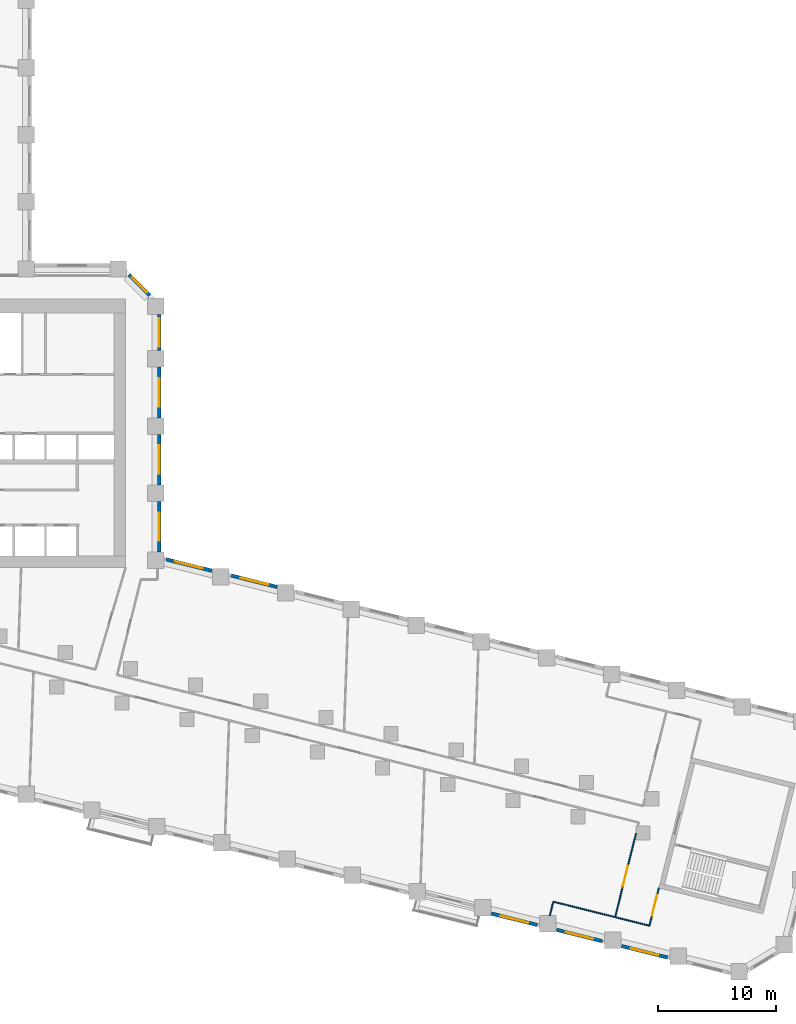
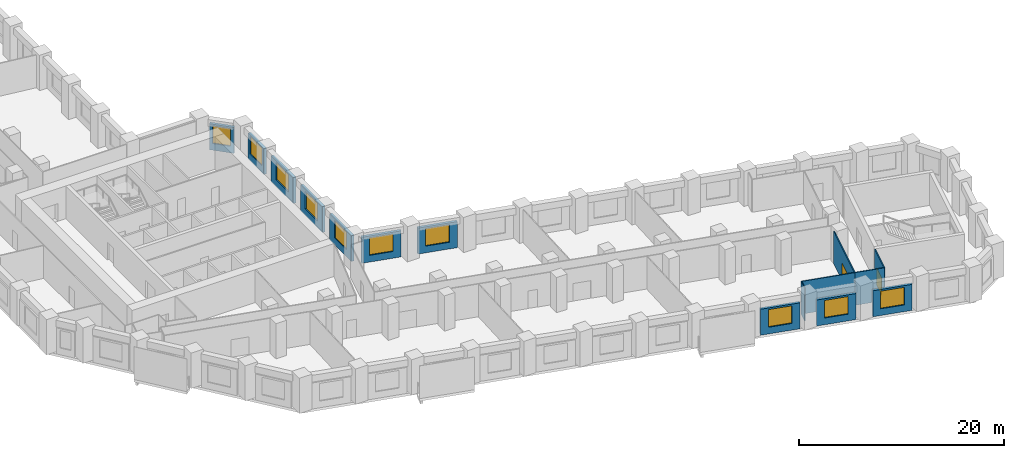
# One storey, part 6 of 11: 15 walls, 10 windows, 2 doors, 12 openings.
"""IFC4 building model written with IfcOpenShell, lengths in metres."""

from ifc_helpers import new_model, si_unit, direction, frame, frame_2d, origin, place, context, subcontext, project, spatial, rectangle, extrude, material, layer, layer_set, type_object, element, fill, save


model = new_model("IFC4")

# Units and contexts
model_context = context("Model", 3, precision=1e-05, world=origin(), true_north=direction((0.0, 1.0)))
body_context = subcontext(model_context, "Body", "Model", "MODEL_VIEW")
ifc_project = project(units=[si_unit("LENGTHUNIT", "METRE"), si_unit("AREAUNIT", "SQUARE_METRE"), si_unit("VOLUMEUNIT", "CUBIC_METRE"), si_unit("PLANEANGLEUNIT", "RADIAN"), si_unit("MASSUNIT", "GRAM", prefix="KILO")], contexts=[model_context])

# Site, building, storey
site_placement = place(None, origin())
site = spatial("IfcSite", under=ifc_project, at=site_placement, CompositionType="ELEMENT")
building_placement = place(site_placement, origin())
building = spatial("IfcBuilding", under=site, at=building_placement, Name="Meshkara Civic Tower", CompositionType="ELEMENT")
storey_placement = place(building_placement, frame((0.0, 0.0, 70.800048828125)))
storey = spatial("IfcBuildingStorey", under=building, at=storey_placement, Name="L15", CompositionType="ELEMENT", Elevation=70.800048828125)

# Wall
ifc_material_1 = material(Name="Corridor wall 100")
ifc_layer_1 = layer(ifc_material_1, 0.10009765625)
ifc_layer_set_1 = layer_set([ifc_layer_1], Name="Corridor wall 100")
wall_type_1 = type_object("IfcWallType", Name="Corridor wall 100", PredefinedType="PARTITIONING", material=ifc_layer_set_1)
wall_1_placement = place(storey_placement, frame((72.35302734375, -15.56591796875, 0.0), z_axis=(0.0, 0.0, 1.0), x_axis=(0.970271610033, -0.242018600037, 0.0)))
element("IfcWall", 1, at=wall_1_placement, inside=storey, type_object=wall_type_1, Name="L15-W025", PredefinedType="PARTITIONING", context=body_context, shape_type="SweptSolid", body=[
    extrude(rectangle(XDim=3.0, YDim=0.10009765625, at=frame_2d((1.5, 0.0))), origin(), (0.0, 0.0, 1.0), 3.89990234375),
])

# Wall, opening, door
wall_2_placement = place(storey_placement, frame((74.131103515625, -8.43701171875, 0.0), z_axis=(0.0, 0.0, 1.0), x_axis=(-0.242003930935, -0.970275268886, 0.0)))
wall_2 = element("IfcWall", 2, at=wall_2_placement, inside=storey, type_object=wall_type_1, Name="L15-W026", PredefinedType="PARTITIONING", context=body_context, shape_type="SweptSolid", body=[
    extrude(rectangle(XDim=7.347412109375, YDim=0.10009765625, at=frame_2d((3.673828125, 0.0))), origin(), (0.0, 0.0, 1.0), 3.89990234375),
])
opening_1_placement = place(wall_2_placement, frame((2.8798828125, 0.0, 0.0)))
opening_1 = element("IfcOpeningElement", 3, at=opening_1_placement, cuts=wall_2, Name="Opening L15-D001", PredefinedType="OPENING", context=body_context, shape_type="SweptSolid", body=[
    extrude(rectangle(XDim=1.800048828125, YDim=2.10009765625, at=frame_2d((0.89990234375, 1.050048828125))), frame((0.0, 0.06005859375, 0.0), z_axis=(0.0, -1.0, 0.0), x_axis=(1.0, 0.0, 0.0)), (0.0, 0.0, 1.0), 0.1201171875),
])
ifc_material_2 = material(Name="Door pair 1800 x 2100")
door_type = type_object("IfcDoorType", Name="Door pair 1800 x 2100", OperationType="SINGLE_SWING_LEFT", PredefinedType="DOOR", material=ifc_material_2)
door_1_placement = place(opening_1_placement, origin())
door_1 = element("IfcDoor", 4, at=door_1_placement, inside=storey, type_object=door_type, Name="L15-D001", OperationType="DOUBLE_DOOR_SINGLE_SWING", OverallHeight=2.10009765625, OverallWidth=1.800048828125, PredefinedType="DOOR", context=body_context, shape_type="SweptSolid", body=[
    extrude(rectangle(XDim=1.800048828125, YDim=2.10009765625, at=frame_2d((0.89990234375, 1.050048828125))), frame((0.0, 0.02490234375, 0.0), z_axis=(0.0, -1.0, 0.0), x_axis=(1.0, 0.0, 0.0)), (0.0, 0.0, 1.0), 0.050048828125),
])
fill(opening_1, door_1)

wall_3_placement = place(storey_placement, frame((75.263916015625, -16.2919921875, 0.0), z_axis=(0.0, 0.0, 1.0), x_axis=(0.242135244173, 0.970242507587, 0.0)))
wall_3 = element("IfcWall", 5, at=wall_3_placement, inside=storey, type_object=wall_type_1, Name="L15-W029", PredefinedType="PARTITIONING", context=body_context, shape_type="SweptSolid", body=[
    extrude(rectangle(XDim=3.300048828125, YDim=0.10009765625, at=frame_2d((1.64990234375, 0.0))), origin(), (0.0, 0.0, 1.0), 3.89990234375),
])
opening_2_placement = place(wall_3_placement, frame((0.8798828125, 0.0, 0.0)))
opening_2 = element("IfcOpeningElement", 6, at=opening_2_placement, cuts=wall_3, Name="Opening L15-D002", PredefinedType="OPENING", context=body_context, shape_type="SweptSolid", body=[
    extrude(rectangle(XDim=1.800048828125, YDim=2.10009765625, at=frame_2d((0.89990234375, 1.050048828125))), frame((0.0, 0.06005859375, 0.0), z_axis=(0.0, -1.0, 0.0), x_axis=(1.0, 0.0, 0.0)), (0.0, 0.0, 1.0), 0.1201171875),
])
door_2_placement = place(opening_2_placement, origin())
door_2 = element("IfcDoor", 7, at=door_2_placement, inside=storey, type_object=door_type, Name="L15-D002", OperationType="DOUBLE_DOOR_SINGLE_SWING", OverallHeight=2.10009765625, OverallWidth=1.800048828125, PredefinedType="DOOR", context=body_context, shape_type="SweptSolid", body=[
    extrude(rectangle(XDim=1.800048828125, YDim=2.10009765625, at=frame_2d((0.89990234375, 1.050048828125))), frame((0.0, 0.02490234375, 0.0), z_axis=(0.0, -1.0, 0.0), x_axis=(1.0, 0.0, 0.0)), (0.0, 0.0, 1.0), 0.050048828125),
])
fill(opening_2, door_2)

# Wall, opening, window
ifc_material_3 = material(Name="Insulated infill panel with bronze anodised aluminium cladding", Category="aluminium")
ifc_layer_2 = layer(ifc_material_3, 0.300048828125)
ifc_layer_set_2 = layer_set([ifc_layer_2], Name="EXTERNAL INFILL WALL 300")
wall_type_2 = type_object("IfcWallType", Name="EXTERNAL INFILL WALL 300", PredefinedType="SOLIDWALL", material=ifc_layer_set_2)
wall_4_placement = place(storey_placement, frame((43.659912109375, 12.4580078125, 0.0), z_axis=(0.0, 0.0, 1.0), x_axis=(-0.970300202301, 0.241903942538, 0.0)))
wall_4 = element("IfcWall", 8, at=wall_4_placement, inside=storey, type_object=wall_type_2, Name="External wall", PredefinedType="SOLIDWALL", context=body_context, shape_type="SweptSolid", body=[
    extrude(rectangle(XDim=4.001708984375, YDim=0.300048828125, at=frame_2d((2.0009765625, 0.0))), origin(), (0.0, 0.0, 1.0), 3.099853515625),
])
opening_3_placement = place(wall_4_placement, frame((0.801025390625, 0.0, 0.800048828125)))
opening_3 = element("IfcOpeningElement", 9, at=opening_3_placement, cuts=wall_4, Name="Opening W7", PredefinedType="OPENING", context=body_context, shape_type="SweptSolid", body=[
    extrude(rectangle(XDim=2.39990234375, YDim=2.10009765625, at=frame_2d((1.199951171875, 1.050048828125))), frame((0.0, 0.159912109375, 0.0), z_axis=(0.0, -1.0, 0.0), x_axis=(1.0, 0.0, 0.0)), (0.0, 0.0, 1.0), 0.320068359375),
])
ifc_material_4 = material(Name="Tinted double glazing", Category="glass")
window_type_1 = type_object("IfcWindowType", Name="WINDOW 2400x2100", PartitioningType="DOUBLE_PANEL_VERTICAL", PredefinedType="WINDOW", material=ifc_material_4)
window_1_placement = place(opening_3_placement, origin())
window_1 = element("IfcWindow", 10, at=window_1_placement, inside=storey, type_object=window_type_1, Name="Window", OverallHeight=2.10009765625, OverallWidth=2.39990234375, PartitioningType="DOUBLE_PANEL_VERTICAL", PredefinedType="WINDOW", context=body_context, shape_type="SweptSolid", body=[
    extrude(rectangle(XDim=2.39990234375, YDim=2.10009765625, at=frame_2d((1.199951171875, 1.050048828125))), frame((0.0, 0.030029296875, 0.0), z_axis=(0.0, -1.0, 0.0), x_axis=(1.0, 0.0, 0.0)), (0.0, 0.0, 1.0), 0.06005859375),
])
fill(opening_3, window_1)

wall_5_placement = place(storey_placement, frame((38.1298828125, 13.8369140625, 0.0), z_axis=(0.0, 0.0, 1.0), x_axis=(-0.970314477803, 0.241846674911, 0.0)))
wall_5 = element("IfcWall", 11, at=wall_5_placement, inside=storey, type_object=wall_type_2, Name="External wall", PredefinedType="SOLIDWALL", context=body_context, shape_type="SweptSolid", body=[
    extrude(rectangle(XDim=4.002685546875, YDim=0.300048828125, at=frame_2d((2.00146484375, 0.0))), origin(), (0.0, 0.0, 1.0), 3.099853515625),
])
opening_4_placement = place(wall_5_placement, frame((0.802001953125, 0.0, 0.800048828125)))
opening_4 = element("IfcOpeningElement", 12, at=opening_4_placement, cuts=wall_5, Name="Opening W7", PredefinedType="OPENING", context=body_context, shape_type="SweptSolid", body=[
    extrude(rectangle(XDim=2.39990234375, YDim=2.10009765625, at=frame_2d((1.199951171875, 1.050048828125))), frame((0.0, 0.159912109375, 0.0), z_axis=(0.0, -1.0, 0.0), x_axis=(1.0, 0.0, 0.0)), (0.0, 0.0, 1.0), 0.320068359375),
])
window_2_placement = place(opening_4_placement, origin())
window_2 = element("IfcWindow", 13, at=window_2_placement, inside=storey, type_object=window_type_1, Name="Window", OverallHeight=2.10009765625, OverallWidth=2.39990234375, PartitioningType="DOUBLE_PANEL_VERTICAL", PredefinedType="WINDOW", context=body_context, shape_type="SweptSolid", body=[
    extrude(rectangle(XDim=2.39990234375, YDim=2.10009765625, at=frame_2d((1.199951171875, 1.050048828125))), frame((0.0, 0.030029296875, 0.0), z_axis=(0.0, -1.0, 0.0), x_axis=(1.0, 0.0, 0.0)), (0.0, 0.0, 1.0), 0.06005859375),
])
fill(opening_4, window_2)

wall_6_placement = place(storey_placement, frame((33.64990234375, 15.4189453125, 0.0), z_axis=(0.0, 0.0, 1.0), x_axis=(0.0, 1.0, 0.0)))
wall_6 = element("IfcWall", 14, at=wall_6_placement, inside=storey, type_object=wall_type_2, Name="External wall", PredefinedType="SOLIDWALL", context=body_context, shape_type="SweptSolid", body=[
    extrude(rectangle(XDim=4.300048828125, YDim=0.300048828125, at=frame_2d((2.14990234375, 0.0))), origin(), (0.0, 0.0, 1.0), 3.099853515625),
])
opening_5_placement = place(wall_6_placement, frame((0.949951171875, 0.0, 0.800048828125)))
opening_5 = element("IfcOpeningElement", 15, at=opening_5_placement, cuts=wall_6, Name="Opening W7", PredefinedType="OPENING", context=body_context, shape_type="SweptSolid", body=[
    extrude(rectangle(XDim=2.39990234375, YDim=2.10009765625, at=frame_2d((1.199951171875, 1.050048828125))), frame((0.0, 0.159912109375, 0.0), z_axis=(0.0, -1.0, 0.0), x_axis=(1.0, 0.0, 0.0)), (0.0, 0.0, 1.0), 0.320068359375),
])
window_3_placement = place(opening_5_placement, origin())
window_3 = element("IfcWindow", 16, at=window_3_placement, inside=storey, type_object=window_type_1, Name="Window", OverallHeight=2.10009765625, OverallWidth=2.39990234375, PartitioningType="DOUBLE_PANEL_VERTICAL", PredefinedType="WINDOW", context=body_context, shape_type="SweptSolid", body=[
    extrude(rectangle(XDim=2.39990234375, YDim=2.10009765625, at=frame_2d((1.199951171875, 1.050048828125))), frame((0.0, 0.030029296875, 0.0), z_axis=(0.0, -1.0, 0.0), x_axis=(1.0, 0.0, 0.0)), (0.0, 0.0, 1.0), 0.06005859375),
])
fill(opening_5, window_3)

wall_7_placement = place(storey_placement, frame((33.64990234375, 21.118896484375, 0.0), z_axis=(0.0, 0.0, 1.0), x_axis=(0.0, 1.0, 0.0)))
wall_7 = element("IfcWall", 17, at=wall_7_placement, inside=storey, type_object=wall_type_2, Name="External wall", PredefinedType="SOLIDWALL", context=body_context, shape_type="SweptSolid", body=[
    extrude(rectangle(XDim=4.300048828125, YDim=0.300048828125, at=frame_2d((2.14990234375, 0.0))), origin(), (0.0, 0.0, 1.0), 3.099853515625),
])
opening_6_placement = place(wall_7_placement, frame((0.949951171875, 0.0, 0.800048828125)))
opening_6 = element("IfcOpeningElement", 18, at=opening_6_placement, cuts=wall_7, Name="Opening W7", PredefinedType="OPENING", context=body_context, shape_type="SweptSolid", body=[
    extrude(rectangle(XDim=2.39990234375, YDim=2.10009765625, at=frame_2d((1.199951171875, 1.050048828125))), frame((0.0, 0.159912109375, 0.0), z_axis=(0.0, -1.0, 0.0), x_axis=(1.0, 0.0, 0.0)), (0.0, 0.0, 1.0), 0.320068359375),
])
window_4_placement = place(opening_6_placement, origin())
window_4 = element("IfcWindow", 19, at=window_4_placement, inside=storey, type_object=window_type_1, Name="Window", OverallHeight=2.10009765625, OverallWidth=2.39990234375, PartitioningType="DOUBLE_PANEL_VERTICAL", PredefinedType="WINDOW", context=body_context, shape_type="SweptSolid", body=[
    extrude(rectangle(XDim=2.39990234375, YDim=2.10009765625, at=frame_2d((1.199951171875, 1.050048828125))), frame((0.0, 0.030029296875, 0.0), z_axis=(0.0, -1.0, 0.0), x_axis=(1.0, 0.0, 0.0)), (0.0, 0.0, 1.0), 0.06005859375),
])
fill(opening_6, window_4)

wall_8_placement = place(storey_placement, frame((33.64990234375, 26.819091796875, 0.0), z_axis=(0.0, 0.0, 1.0), x_axis=(0.0, 1.0, 0.0)))
wall_8 = element("IfcWall", 20, at=wall_8_placement, inside=storey, type_object=wall_type_2, Name="External wall", PredefinedType="SOLIDWALL", context=body_context, shape_type="SweptSolid", body=[
    extrude(rectangle(XDim=4.2998046875, YDim=0.300048828125, at=frame_2d((2.14990234375, 0.0))), origin(), (0.0, 0.0, 1.0), 3.099853515625),
])
opening_7_placement = place(wall_8_placement, frame((0.949951171875, 0.0, 0.800048828125)))
opening_7 = element("IfcOpeningElement", 21, at=opening_7_placement, cuts=wall_8, Name="Opening W7", PredefinedType="OPENING", context=body_context, shape_type="SweptSolid", body=[
    extrude(rectangle(XDim=2.39990234375, YDim=2.10009765625, at=frame_2d((1.199951171875, 1.050048828125))), frame((0.0, 0.159912109375, 0.0), z_axis=(0.0, -1.0, 0.0), x_axis=(1.0, 0.0, 0.0)), (0.0, 0.0, 1.0), 0.320068359375),
])
window_5_placement = place(opening_7_placement, origin())
window_5 = element("IfcWindow", 22, at=window_5_placement, inside=storey, type_object=window_type_1, Name="Window", OverallHeight=2.10009765625, OverallWidth=2.39990234375, PartitioningType="DOUBLE_PANEL_VERTICAL", PredefinedType="WINDOW", context=body_context, shape_type="SweptSolid", body=[
    extrude(rectangle(XDim=2.39990234375, YDim=2.10009765625, at=frame_2d((1.199951171875, 1.050048828125))), frame((0.0, 0.030029296875, 0.0), z_axis=(0.0, -1.0, 0.0), x_axis=(1.0, 0.0, 0.0)), (0.0, 0.0, 1.0), 0.06005859375),
])
fill(opening_7, window_5)

wall_9_placement = place(storey_placement, frame((33.64990234375, 32.51904296875, 0.0), z_axis=(0.0, 0.0, 1.0), x_axis=(0.0, 1.0, 0.0)))
wall_9 = element("IfcWall", 23, at=wall_9_placement, inside=storey, type_object=wall_type_2, Name="External wall", PredefinedType="SOLIDWALL", context=body_context, shape_type="SweptSolid", body=[
    extrude(rectangle(XDim=3.074951171875, YDim=0.300048828125, at=frame_2d((1.53759765625, 0.0))), origin(), (0.0, 0.0, 1.0), 3.099853515625),
])
opening_8_placement = place(wall_9_placement, frame((0.337890625, 0.0, 0.800048828125)))
opening_8 = element("IfcOpeningElement", 24, at=opening_8_placement, cuts=wall_9, Name="Opening W7", PredefinedType="OPENING", context=body_context, shape_type="SweptSolid", body=[
    extrude(rectangle(XDim=2.39990234375, YDim=2.10009765625, at=frame_2d((1.199951171875, 1.050048828125))), frame((0.0, 0.159912109375, 0.0), z_axis=(0.0, -1.0, 0.0), x_axis=(1.0, 0.0, 0.0)), (0.0, 0.0, 1.0), 0.320068359375),
])
window_6_placement = place(opening_8_placement, origin())
window_6 = element("IfcWindow", 25, at=window_6_placement, inside=storey, type_object=window_type_1, Name="Window", OverallHeight=2.10009765625, OverallWidth=2.39990234375, PartitioningType="DOUBLE_PANEL_VERTICAL", PredefinedType="WINDOW", context=body_context, shape_type="SweptSolid", body=[
    extrude(rectangle(XDim=2.39990234375, YDim=2.10009765625, at=frame_2d((1.199951171875, 1.050048828125))), frame((0.0, 0.030029296875, 0.0), z_axis=(0.0, -1.0, 0.0), x_axis=(1.0, 0.0, 0.0)), (0.0, 0.0, 1.0), 0.06005859375),
])
fill(opening_8, window_6)

wall_10_placement = place(storey_placement, frame((32.862060546875, 37.2060546875, 0.0), z_axis=(0.0, 0.0, 1.0), x_axis=(-0.707155935319, 0.707057623637, 0.0)))
wall_10 = element("IfcWall", 26, at=wall_10_placement, inside=storey, type_object=wall_type_2, Name="External wall", PredefinedType="SOLIDWALL", context=body_context, shape_type="SweptSolid", body=[
    extrude(rectangle(XDim=2.4833984375, YDim=0.300048828125, at=frame_2d((1.24169921875, 0.0))), origin(), (0.0, 0.0, 1.0), 3.099853515625),
])
opening_9_placement = place(wall_10_placement, frame((0.342041015625, 0.0, 0.800048828125)))
opening_9 = element("IfcOpeningElement", 27, at=opening_9_placement, cuts=wall_10, Name="Opening W9", PredefinedType="OPENING", context=body_context, shape_type="SweptSolid", body=[
    extrude(rectangle(XDim=1.800048828125, YDim=2.10009765625, at=frame_2d((0.89990234375, 1.050048828125))), frame((0.0, 0.159912109375, 0.0), z_axis=(0.0, -1.0, 0.0), x_axis=(1.0, 0.0, 0.0)), (0.0, 0.0, 1.0), 0.320068359375),
])
ifc_material_5 = material(Name="Tinted double glazing", Category="glass")
window_type_2 = type_object("IfcWindowType", Name="WINDOW 1800x2100", PartitioningType="DOUBLE_PANEL_VERTICAL", PredefinedType="WINDOW", material=ifc_material_5)
window_7_placement = place(opening_9_placement, origin())
window_7 = element("IfcWindow", 28, at=window_7_placement, inside=storey, type_object=window_type_2, Name="Window", OverallHeight=2.10009765625, OverallWidth=1.800048828125, PartitioningType="DOUBLE_PANEL_VERTICAL", PredefinedType="WINDOW", context=body_context, shape_type="SweptSolid", body=[
    extrude(rectangle(XDim=1.800048828125, YDim=2.10009765625, at=frame_2d((0.89990234375, 1.050048828125))), frame((0.0, 0.030029296875, 0.0), z_axis=(0.0, -1.0, 0.0), x_axis=(1.0, 0.0, 0.0)), (0.0, 0.0, 1.0), 0.06005859375),
])
fill(opening_9, window_7)

wall_11_placement = place(storey_placement, frame((61.847900390625, -15.26611328125, 0.0), z_axis=(0.0, 0.0, 1.0), x_axis=(0.970318089187, -0.241832185196, 0.0)))
wall_11 = element("IfcWall", 29, at=wall_11_placement, inside=storey, type_object=wall_type_2, Name="External wall", PredefinedType="SOLIDWALL", context=body_context, shape_type="SweptSolid", body=[
    extrude(rectangle(XDim=4.001953125, YDim=0.300048828125, at=frame_2d((2.0009765625, 0.0))), origin(), (0.0, 0.0, 1.0), 3.099853515625),
])
opening_10_placement = place(wall_11_placement, frame((0.801025390625, 0.0, 0.800048828125)))
opening_10 = element("IfcOpeningElement", 30, at=opening_10_placement, cuts=wall_11, Name="Opening W7", PredefinedType="OPENING", context=body_context, shape_type="SweptSolid", body=[
    extrude(rectangle(XDim=2.39990234375, YDim=2.10009765625, at=frame_2d((1.199951171875, 1.050048828125))), frame((0.0, 0.159912109375, 0.0), z_axis=(0.0, -1.0, 0.0), x_axis=(1.0, 0.0, 0.0)), (0.0, 0.0, 1.0), 0.320068359375),
])
window_8_placement = place(opening_10_placement, origin())
window_8 = element("IfcWindow", 31, at=window_8_placement, inside=storey, type_object=window_type_1, Name="Window", OverallHeight=2.10009765625, OverallWidth=2.39990234375, PartitioningType="DOUBLE_PANEL_VERTICAL", PredefinedType="WINDOW", context=body_context, shape_type="SweptSolid", body=[
    extrude(rectangle(XDim=2.39990234375, YDim=2.10009765625, at=frame_2d((1.199951171875, 1.050048828125))), frame((0.0, 0.030029296875, 0.0), z_axis=(0.0, -1.0, 0.0), x_axis=(1.0, 0.0, 0.0)), (0.0, 0.0, 1.0), 0.06005859375),
])
fill(opening_10, window_8)

wall_12_placement = place(storey_placement, frame((67.3779296875, -16.64404296875, 0.0), z_axis=(0.0, 0.0, 1.0), x_axis=(0.970260773365, -0.242062040951, 0.0)))
wall_12 = element("IfcWall", 32, at=wall_12_placement, inside=storey, type_object=wall_type_2, Name="External wall", PredefinedType="SOLIDWALL", context=body_context, shape_type="SweptSolid", body=[
    extrude(rectangle(XDim=4.003173828125, YDim=0.300048828125, at=frame_2d((2.00146484375, 0.0))), origin(), (0.0, 0.0, 1.0), 3.099853515625),
])
opening_11_placement = place(wall_12_placement, frame((0.802001953125, 0.0, 0.800048828125)))
opening_11 = element("IfcOpeningElement", 33, at=opening_11_placement, cuts=wall_12, Name="Opening W7", PredefinedType="OPENING", context=body_context, shape_type="SweptSolid", body=[
    extrude(rectangle(XDim=2.39990234375, YDim=2.10009765625, at=frame_2d((1.199951171875, 1.050048828125))), frame((0.0, 0.159912109375, 0.0), z_axis=(0.0, -1.0, 0.0), x_axis=(1.0, 0.0, 0.0)), (0.0, 0.0, 1.0), 0.320068359375),
])
window_9_placement = place(opening_11_placement, origin())
window_9 = element("IfcWindow", 34, at=window_9_placement, inside=storey, type_object=window_type_1, Name="Window", OverallHeight=2.10009765625, OverallWidth=2.39990234375, PartitioningType="DOUBLE_PANEL_VERTICAL", PredefinedType="WINDOW", context=body_context, shape_type="SweptSolid", body=[
    extrude(rectangle(XDim=2.39990234375, YDim=2.10009765625, at=frame_2d((1.199951171875, 1.050048828125))), frame((0.0, 0.030029296875, 0.0), z_axis=(0.0, -1.0, 0.0), x_axis=(1.0, 0.0, 0.0)), (0.0, 0.0, 1.0), 0.06005859375),
])
fill(opening_11, window_9)

wall_13_placement = place(storey_placement, frame((72.908935546875, -18.02294921875, 0.0), z_axis=(0.0, 0.0, 1.0), x_axis=(0.970260773365, -0.242062040951, 0.0)))
wall_13 = element("IfcWall", 35, at=wall_13_placement, inside=storey, type_object=wall_type_2, Name="External wall", PredefinedType="SOLIDWALL", context=body_context, shape_type="SweptSolid", body=[
    extrude(rectangle(XDim=4.003173828125, YDim=0.300048828125, at=frame_2d((2.00146484375, 0.0))), origin(), (0.0, 0.0, 1.0), 3.099853515625),
])
opening_12_placement = place(wall_13_placement, frame((0.802001953125, 0.0, 0.800048828125)))
opening_12 = element("IfcOpeningElement", 36, at=opening_12_placement, cuts=wall_13, Name="Opening W7", PredefinedType="OPENING", context=body_context, shape_type="SweptSolid", body=[
    extrude(rectangle(XDim=2.39990234375, YDim=2.10009765625, at=frame_2d((1.199951171875, 1.050048828125))), frame((0.0, 0.159912109375, 0.0), z_axis=(0.0, -1.0, 0.0), x_axis=(1.0, 0.0, 0.0)), (0.0, 0.0, 1.0), 0.320068359375),
])
window_10_placement = place(opening_12_placement, origin())
window_10 = element("IfcWindow", 37, at=window_10_placement, inside=storey, type_object=window_type_1, Name="Window", OverallHeight=2.10009765625, OverallWidth=2.39990234375, PartitioningType="DOUBLE_PANEL_VERTICAL", PredefinedType="WINDOW", context=body_context, shape_type="SweptSolid", body=[
    extrude(rectangle(XDim=2.39990234375, YDim=2.10009765625, at=frame_2d((1.199951171875, 1.050048828125))), frame((0.0, 0.030029296875, 0.0), z_axis=(0.0, -1.0, 0.0), x_axis=(1.0, 0.0, 0.0)), (0.0, 0.0, 1.0), 0.06005859375),
])
fill(opening_12, window_10)

# Walls
ifc_material_6 = material(Name="Partition 100")
ifc_layer_3 = layer(ifc_material_6, 0.10009765625)
ifc_layer_set_3 = layer_set([ifc_layer_3], Name="Partition 100")
wall_type_3 = type_object("IfcWallType", Name="Partition 100", PredefinedType="PARTITIONING", material=ifc_layer_set_3)
wall_14_placement = place(storey_placement, frame((66.802001953125, -15.447998046875, 0.0), z_axis=(0.0, 0.0, 1.0), x_axis=(0.241880858218, 0.970305957123, 0.0)))
element("IfcWall", 38, at=wall_14_placement, inside=storey, type_object=wall_type_3, Name="L15-W051", PredefinedType="PARTITIONING", context=body_context, shape_type="SweptSolid", body=[
    extrude(rectangle(XDim=1.228271484375, YDim=0.10009765625, at=frame_2d((0.6142578125, 0.0))), origin(), (0.0, 0.0, 1.0), 3.89990234375),
])
wall_15_placement = place(storey_placement, frame((67.09912109375, -14.256103515625, 0.0), z_axis=(0.0, 0.0, 1.0), x_axis=(0.970301308755, -0.241899504398, 0.0)))
element("IfcWall", 39, at=wall_15_placement, inside=storey, type_object=wall_type_3, Name="L15-W052", PredefinedType="PARTITIONING", context=body_context, shape_type="SweptSolid", body=[
    extrude(rectangle(XDim=5.418701171875, YDim=0.10009765625, at=frame_2d((2.70947265625, 0.0))), origin(), (0.0, 0.0, 1.0), 3.89990234375),
])

save(model, "model.ifc")
